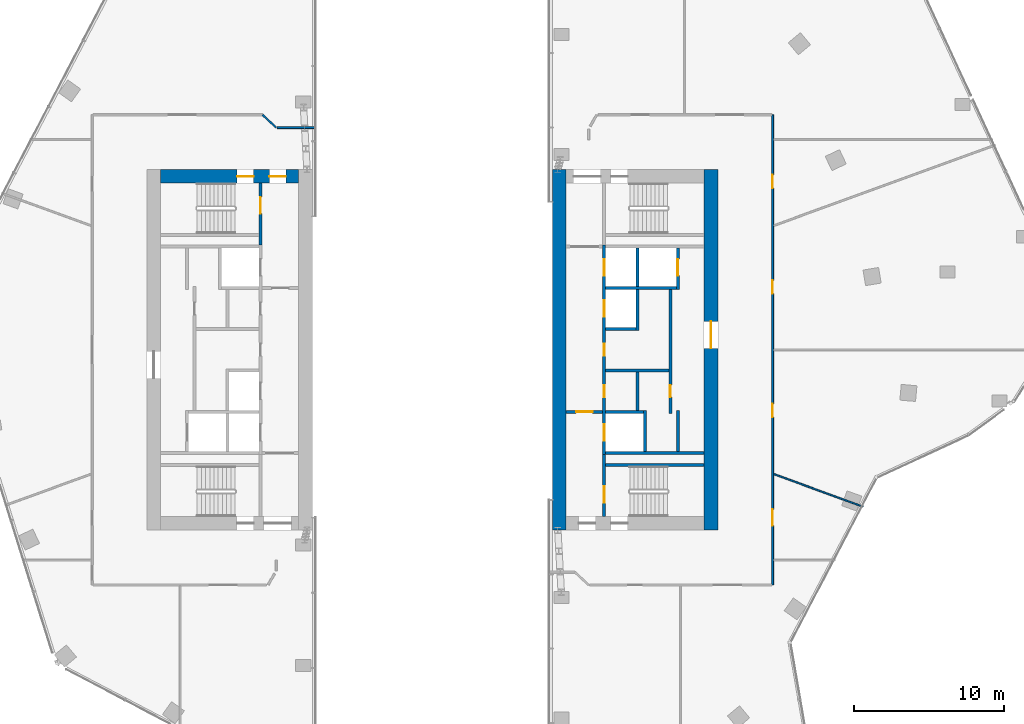
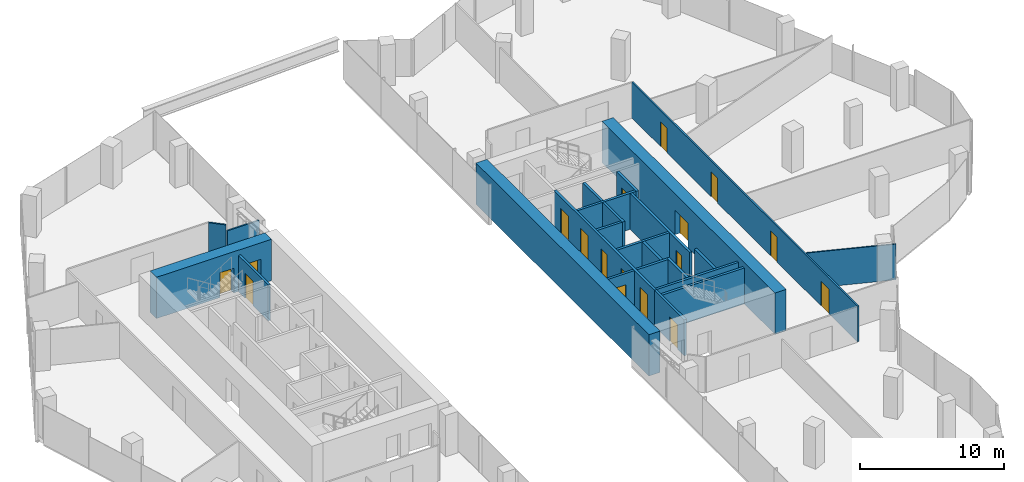
# One storey, part 21 of 24: 24 walls, 17 doors, 17 openings.
"""IFC4 building model written with IfcOpenShell, lengths in metres."""

from ifc_helpers import new_model, si_unit, direction, frame, frame_2d, origin, place, context, subcontext, project, spatial, rectangle, extrude, material, layer, layer_set, type_object, element, fill, save


model = new_model("IFC4")

# Units and contexts
model_context = context("Model", 3, precision=1e-05, world=origin(), true_north=direction((0.0, 1.0)))
body_context = subcontext(model_context, "Body", "Model", "MODEL_VIEW")
ifc_project = project(units=[si_unit("LENGTHUNIT", "METRE"), si_unit("AREAUNIT", "SQUARE_METRE"), si_unit("VOLUMEUNIT", "CUBIC_METRE"), si_unit("PLANEANGLEUNIT", "RADIAN"), si_unit("MASSUNIT", "GRAM", prefix="KILO")], contexts=[model_context])

# Site, building, storey
site_placement = place(None, origin())
site = spatial("IfcSite", under=ifc_project, at=site_placement, CompositionType="ELEMENT")
building_placement = place(site_placement, origin())
building = spatial("IfcBuilding", under=site, at=building_placement, Name="Orlundy Tower", CompositionType="ELEMENT")
storey_placement = place(building_placement, frame((0.0, 0.0, 267.5)))
storey = spatial("IfcBuildingStorey", under=building, at=storey_placement, Name="L71", CompositionType="ELEMENT", Elevation=267.5)

# Wall, openings, doors
ifc_material_1 = material(Name="Concrete C60/75", Category="concrete")
ifc_layer_1 = layer(ifc_material_1, 0.89990234375)
ifc_layer_set_1 = layer_set([ifc_layer_1], Name="CORE WALL 900 C60/75")
wall_type_1 = type_object("IfcWallType", Name="CORE WALL 900 C60/75", PredefinedType="SHEAR", material=ifc_layer_set_1)
wall_1_placement = place(storey_placement, frame((-18.10009765625, 11.550048828125, 0.0), z_axis=(0.0, 0.0, 1.0), x_axis=(1.0, 0.0, 0.0)))
wall_1 = element("IfcWall", 1, at=wall_1_placement, inside=storey, type_object=wall_type_1, Name="Core wall W-N L71", PredefinedType="SHEAR", context=body_context, shape_type="SweptSolid", body=[
    extrude(rectangle(XDim=9.2001953125, YDim=0.89990234375, at=frame_2d((4.60009765625, 0.0))), origin(), (0.0, 0.0, 1.0), 3.5),
])
opening_1_placement = place(wall_1_placement, frame((7.25, 0.0, 0.0)))
opening_1 = element("IfcOpeningElement", 2, at=opening_1_placement, cuts=wall_1, Name="Opening 53009", PredefinedType="OPENING", context=body_context, shape_type="SweptSolid", body=[
    extrude(rectangle(XDim=1.10009765625, YDim=2.10009765625, at=frame_2d((0.550048828125, 1.050048828125))), frame((0.0, 0.4599609375, 0.0), z_axis=(0.0, -1.0, 0.0), x_axis=(1.0, 0.0, 0.0)), (0.0, 0.0, 1.0), 0.919921875),
])
opening_2_placement = place(wall_1_placement, frame((5.10009765625, 0.0, 0.0)))
opening_2 = element("IfcOpeningElement", 3, at=opening_2_placement, cuts=wall_1, Name="Opening 53013", PredefinedType="OPENING", context=body_context, shape_type="SweptSolid", body=[
    extrude(rectangle(XDim=1.10009765625, YDim=2.10009765625, at=frame_2d((0.550048828125, 1.050048828125))), frame((0.0, 0.4599609375, 0.0), z_axis=(0.0, -1.0, 0.0), x_axis=(1.0, 0.0, 0.0)), (0.0, 0.0, 1.0), 0.919921875),
])
ifc_material_2 = material(Name="Steel door set", Category="steel")
door_type_1 = type_object("IfcDoorType", Name="Fire-fighting Lobby Door 1100x2100", OperationType="SINGLE_SWING_LEFT", PredefinedType="DOOR", material=ifc_material_2)
door_1_placement = place(opening_1_placement, origin())
door_1 = element("IfcDoor", 4, at=door_1_placement, inside=storey, type_object=door_type_1, Name="Fire-fighting lobby door 53009", OperationType="SINGLE_SWING_RIGHT", OverallHeight=2.10009765625, OverallWidth=1.10009765625, PredefinedType="DOOR", context=body_context, shape_type="SweptSolid", body=[
    extrude(rectangle(XDim=1.10009765625, YDim=2.10009765625, at=frame_2d((0.550048828125, 1.050048828125))), frame((0.0, 0.02490234375, 0.0), z_axis=(0.0, -1.0, 0.0), x_axis=(1.0, 0.0, 0.0)), (0.0, 0.0, 1.0), 0.050048828125),
])
fill(opening_1, door_1)
ifc_material_3 = material(Name="Steel door set", Category="steel")
door_type_2 = type_object("IfcDoorType", Name="Stair Door 1100x2100", OperationType="SINGLE_SWING_LEFT", PredefinedType="DOOR", material=ifc_material_3)
door_2_placement = place(opening_2_placement, origin())
door_2 = element("IfcDoor", 5, at=door_2_placement, inside=storey, type_object=door_type_2, Name="Stair door 53013", OperationType="SINGLE_SWING_RIGHT", OverallHeight=2.10009765625, OverallWidth=1.10009765625, PredefinedType="DOOR", context=body_context, shape_type="SweptSolid", body=[
    extrude(rectangle(XDim=1.10009765625, YDim=2.10009765625, at=frame_2d((0.550048828125, 1.050048828125))), frame((0.0, 0.02490234375, 0.0), z_axis=(0.0, -1.0, 0.0), x_axis=(1.0, 0.0, 0.0)), (0.0, 0.0, 1.0), 0.050048828125),
])
fill(opening_2, door_2)

# Wall
wall_2_placement = place(storey_placement, frame((8.449951171875, -12.0, 0.0), z_axis=(0.0, 0.0, 1.0), x_axis=(0.0, 1.0, 0.0)))
element("IfcWall", 6, at=wall_2_placement, inside=storey, type_object=wall_type_1, Name="Core wall E-W L71", PredefinedType="SHEAR", context=body_context, shape_type="SweptSolid", body=[
    extrude(rectangle(XDim=24.0, YDim=0.89990234375, at=frame_2d((12.0, 0.0))), origin(), (0.0, 0.0, 1.0), 3.5),
])

# Wall, opening, door
wall_3_placement = place(storey_placement, frame((18.550048828125, -12.0, 0.0), z_axis=(0.0, 0.0, 1.0), x_axis=(0.0, 1.0, 0.0)))
wall_3 = element("IfcWall", 7, at=wall_3_placement, inside=storey, type_object=wall_type_1, Name="Core wall E-E L71", PredefinedType="SHEAR", context=body_context, shape_type="SweptSolid", body=[
    extrude(rectangle(XDim=24.0, YDim=0.89990234375, at=frame_2d((12.0, 0.0))), origin(), (0.0, 0.0, 1.0), 3.5),
])
opening_3_placement = place(wall_3_placement, frame((12.10009765625, 0.0, 0.0)))
opening_3 = element("IfcOpeningElement", 8, at=opening_3_placement, cuts=wall_3, Name="Opening 53057", PredefinedType="OPENING", context=body_context, shape_type="SweptSolid", body=[
    extrude(rectangle(XDim=1.800048828125, YDim=2.10009765625, at=frame_2d((0.89990234375, 1.050048828125))), frame((0.0, 0.4599609375, 0.0), z_axis=(0.0, -1.0, 0.0), x_axis=(1.0, 0.0, 0.0)), (0.0, 0.0, 1.0), 0.919921875),
])
ifc_material_4 = material(Name="Timber door set", Category="wood")
door_type_3 = type_object("IfcDoorType", Name="Lobby Door 1800x2100", OperationType="DOUBLE_DOOR_DOUBLE_SWING", PredefinedType="DOOR", material=ifc_material_4)
door_3_placement = place(opening_3_placement, origin())
door_3 = element("IfcDoor", 9, at=door_3_placement, inside=storey, type_object=door_type_3, Name="Lift lobby door 53057", OperationType="SINGLE_SWING_RIGHT", OverallHeight=2.10009765625, OverallWidth=1.800048828125, PredefinedType="DOOR", context=body_context, shape_type="SweptSolid", body=[
    extrude(rectangle(XDim=1.800048828125, YDim=2.10009765625, at=frame_2d((0.89990234375, 1.050048828125))), frame((0.0, 0.02490234375, 0.0), z_axis=(0.0, -1.0, 0.0), x_axis=(1.0, 0.0, 0.0)), (0.0, 0.0, 1.0), 0.050048828125),
])
fill(opening_3, door_3)

# Wall
ifc_material_5 = material(Name="Gypsum board partition")
ifc_layer_2 = layer(ifc_material_5, 0.10009765625)
ifc_layer_set_2 = layer_set([ifc_layer_2], Name="Floor partition 100")
wall_type_2 = type_object("IfcWallType", Name="Floor partition 100", PredefinedType="PARTITIONING", material=ifc_layer_set_2)
wall_4_placement = place(storey_placement, frame((22.73095703125, -8.27294921875, 0.0), z_axis=(0.0, 0.0, 1.0), x_axis=(0.939689826278, -0.342027821076, 0.0)))
element("IfcWall", 10, at=wall_4_placement, inside=storey, type_object=wall_type_2, Name="wall-int-L71-002", PredefinedType="PARTITIONING", context=body_context, shape_type="SweptSolid", body=[
    extrude(rectangle(XDim=6.332763671875, YDim=0.10009765625, at=frame_2d((3.16650390625, 0.0))), origin(), (0.0, 0.0, 1.0), 3.030029296875),
])

# Wall, openings, doors
ifc_material_6 = material(Name="Gypsum board partition, double layer")
ifc_layer_3 = layer(ifc_material_6, 0.125)
ifc_layer_set_3 = layer_set([ifc_layer_3], Name="Floor partition 125")
wall_type_3 = type_object("IfcWallType", Name="Floor partition 125", PredefinedType="PARTITIONING", material=ifc_layer_set_3)
wall_5_placement = place(storey_placement, frame((22.65087890625, 15.64990234375, 0.0), z_axis=(0.0, 0.0, 1.0), x_axis=(0.0, -1.0, 0.0)))
wall_5 = element("IfcWall", 11, at=wall_5_placement, inside=storey, type_object=wall_type_3, Name="wall-int-L71-018", PredefinedType="PARTITIONING", context=body_context, shape_type="SweptSolid", body=[
    extrude(rectangle(XDim=31.2998046875, YDim=0.125, at=frame_2d((15.64990234375, 0.0))), origin(), (0.0, 0.0, 1.0), 3.030029296875),
])
opening_4_placement = place(wall_5_placement, frame((26.243896484375, 0.0, 0.0)))
opening_4 = element("IfcOpeningElement", 12, at=opening_4_placement, cuts=wall_5, Name="Opening 53105", PredefinedType="OPENING", context=body_context, shape_type="SweptSolid", body=[
    extrude(rectangle(XDim=1.10009765625, YDim=2.10009765625, at=frame_2d((0.550048828125, 1.050048828125))), frame((0.0, 0.072509765625, 0.0), z_axis=(0.0, -1.0, 0.0), x_axis=(1.0, 0.0, 0.0)), (0.0, 0.0, 1.0), 0.14501953125),
])
opening_5_placement = place(wall_5_placement, frame((19.25, 0.0, 0.0)))
opening_5 = element("IfcOpeningElement", 13, at=opening_5_placement, cuts=wall_5, Name="Opening 53106", PredefinedType="OPENING", context=body_context, shape_type="SweptSolid", body=[
    extrude(rectangle(XDim=0.89990234375, YDim=2.10009765625, at=frame_2d((0.449951171875, 1.050048828125))), frame((0.0, 0.072509765625, 0.0), z_axis=(0.0, -1.0, 0.0), x_axis=(1.0, 0.0, 0.0)), (0.0, 0.0, 1.0), 0.14501953125),
])
opening_6_placement = place(wall_5_placement, frame((11.006103515625, 0.0, 0.0)))
opening_6 = element("IfcOpeningElement", 14, at=opening_6_placement, cuts=wall_5, Name="Opening 53107", PredefinedType="OPENING", context=body_context, shape_type="SweptSolid", body=[
    extrude(rectangle(XDim=0.89990234375, YDim=2.10009765625, at=frame_2d((0.449951171875, 1.050048828125))), frame((0.0, 0.072509765625, 0.0), z_axis=(0.0, -1.0, 0.0), x_axis=(1.0, 0.0, 0.0)), (0.0, 0.0, 1.0), 0.14501953125),
])
opening_7_placement = place(wall_5_placement, frame((4.0, 0.0, 0.0)))
opening_7 = element("IfcOpeningElement", 15, at=opening_7_placement, cuts=wall_5, Name="Opening 53108", PredefinedType="OPENING", context=body_context, shape_type="SweptSolid", body=[
    extrude(rectangle(XDim=0.89990234375, YDim=2.10009765625, at=frame_2d((0.449951171875, 1.050048828125))), frame((0.0, 0.072509765625, 0.0), z_axis=(0.0, -1.0, 0.0), x_axis=(1.0, 0.0, 0.0)), (0.0, 0.0, 1.0), 0.14501953125),
])
ifc_material_7 = material(Name="Timber door leaf", Category="wood")
door_type_4 = type_object("IfcDoorType", Name="Floor door single 900 FD30S", OperationType="NOTDEFINED", PredefinedType="DOOR", material=ifc_material_7)
door_4_placement = place(opening_5_placement, origin())
door_4 = element("IfcDoor", 16, at=door_4_placement, inside=storey, type_object=door_type_4, Name="Door 53106", OperationType="SINGLE_SWING_RIGHT", OverallHeight=2.10009765625, OverallWidth=0.89990234375, PredefinedType="DOOR", context=body_context, shape_type="SweptSolid", body=[
    extrude(rectangle(XDim=0.89990234375, YDim=2.10009765625, at=frame_2d((0.449951171875, 1.050048828125))), frame((0.0, 0.02490234375, 0.0), z_axis=(0.0, -1.0, 0.0), x_axis=(1.0, 0.0, 0.0)), (0.0, 0.0, 1.0), 0.050048828125),
])
fill(opening_5, door_4)
door_5_placement = place(opening_6_placement, origin())
door_5 = element("IfcDoor", 17, at=door_5_placement, inside=storey, type_object=door_type_4, Name="Door 53107", OperationType="SINGLE_SWING_LEFT", OverallHeight=2.10009765625, OverallWidth=0.89990234375, PredefinedType="DOOR", context=body_context, shape_type="SweptSolid", body=[
    extrude(rectangle(XDim=0.89990234375, YDim=2.10009765625, at=frame_2d((0.449951171875, 1.050048828125))), frame((0.0, 0.02490234375, 0.0), z_axis=(0.0, -1.0, 0.0), x_axis=(1.0, 0.0, 0.0)), (0.0, 0.0, 1.0), 0.050048828125),
])
fill(opening_6, door_5)
door_6_placement = place(opening_7_placement, origin())
door_6 = element("IfcDoor", 18, at=door_6_placement, inside=storey, type_object=door_type_4, Name="Door 53108", OperationType="SINGLE_SWING_LEFT", OverallHeight=2.10009765625, OverallWidth=0.89990234375, PredefinedType="DOOR", context=body_context, shape_type="SweptSolid", body=[
    extrude(rectangle(XDim=0.89990234375, YDim=2.10009765625, at=frame_2d((0.449951171875, 1.050048828125))), frame((0.0, 0.02490234375, 0.0), z_axis=(0.0, -1.0, 0.0), x_axis=(1.0, 0.0, 0.0)), (0.0, 0.0, 1.0), 0.050048828125),
])
fill(opening_7, door_6)
ifc_material_8 = material(Name="Timber door leaf", Category="wood")
door_type_5 = type_object("IfcDoorType", Name="Floor door xwide 1100 FD30S", OperationType="NOTDEFINED", PredefinedType="DOOR", material=ifc_material_8)
door_7_placement = place(opening_4_placement, origin())
door_7 = element("IfcDoor", 19, at=door_7_placement, inside=storey, type_object=door_type_5, Name="Door 53105", OperationType="SINGLE_SWING_RIGHT", OverallHeight=2.10009765625, OverallWidth=1.10009765625, PredefinedType="DOOR", context=body_context, shape_type="SweptSolid", body=[
    extrude(rectangle(XDim=1.10009765625, YDim=2.10009765625, at=frame_2d((0.550048828125, 1.050048828125))), frame((0.0, 0.02490234375, 0.0), z_axis=(0.0, -1.0, 0.0), x_axis=(1.0, 0.0, 0.0)), (0.0, 0.0, 1.0), 0.050048828125),
])
fill(opening_4, door_7)

# Walls
wall_6_placement = place(storey_placement, frame((-10.39892578125, 14.801025390625, 0.0), z_axis=(0.0, 0.0, 1.0), x_axis=(-0.731998309082, 0.681306447571, 0.0)))
element("IfcWall", 20, at=wall_6_placement, inside=storey, type_object=wall_type_3, Name="wall-int-L71-024", PredefinedType="PARTITIONING", context=body_context, shape_type="SweptSolid", body=[
    extrude(rectangle(XDim=1.247314453125, YDim=0.125, at=frame_2d((0.62353515625, 0.0))), origin(), (0.0, 0.0, 1.0), 3.030029296875),
])
ifc_material_9 = material(Name="Gypsum board partition, double layer")
ifc_layer_4 = layer(ifc_material_9, 0.125)
ifc_layer_set_4 = layer_set([ifc_layer_4], Name="Floor partition 125 B")
wall_type_4 = type_object("IfcWallType", Name="Floor partition 125 B", PredefinedType="PARTITIONING", material=ifc_layer_set_4)
wall_7_placement = place(storey_placement, frame((-10.3359375, 14.801025390625, 0.0), z_axis=(0.0, 0.0, 1.0), x_axis=(1.0, 0.0, 0.0)))
element("IfcWall", 21, at=wall_7_placement, inside=storey, type_object=wall_type_4, Name="wall-int-L71-011", PredefinedType="PARTITIONING", context=body_context, shape_type="SweptSolid", body=[
    extrude(rectangle(XDim=2.5859375, YDim=0.125, at=frame_2d((1.29296875, 0.0))), origin(), (0.0, 0.0, 1.0), 2.496337890625),
])

# Wall, opening, door
ifc_material_10 = material(Name="Concrete C40/50", Category="concrete")
ifc_layer_5 = layer(ifc_material_10, 0.199951171875)
ifc_layer_set_5 = layer_set([ifc_layer_5], Name="Load-bearing Shaft Wall 200")
wall_type_5 = type_object("IfcWallType", Name="Load-bearing Shaft Wall 200", PredefinedType="SOLIDWALL", material=ifc_layer_set_5)
wall_8_placement = place(storey_placement, frame((-11.43994140625, 6.97509765625, 0.0), z_axis=(0.0, 0.0, 1.0), x_axis=(0.0, 1.0, 0.0)))
wall_8 = element("IfcWall", 22, at=wall_8_placement, inside=storey, type_object=wall_type_5, Name="Shaft wall W53-stair-end-n", PredefinedType="SOLIDWALL", context=body_context, shape_type="SweptSolid", body=[
    extrude(rectangle(XDim=4.125, YDim=0.199951171875, at=frame_2d((2.0625, 0.0))), origin(), (0.0, 0.0, 1.0), 3.050048828125),
])
opening_8_placement = place(wall_8_placement, frame((2.10009765625, 0.0, 0.0)))
opening_8 = element("IfcOpeningElement", 23, at=opening_8_placement, cuts=wall_8, Name="Opening 53015", PredefinedType="OPENING", context=body_context, shape_type="SweptSolid", body=[
    extrude(rectangle(XDim=1.10009765625, YDim=2.10009765625, at=frame_2d((0.550048828125, 1.050048828125))), frame((0.0, 0.110107421875, 0.0), z_axis=(0.0, -1.0, 0.0), x_axis=(1.0, 0.0, 0.0)), (0.0, 0.0, 1.0), 0.22021484375),
])
door_8_placement = place(opening_8_placement, origin())
door_8 = element("IfcDoor", 24, at=door_8_placement, inside=storey, type_object=door_type_1, Name="Fire-fighting lobby to stair door 53015", OperationType="SINGLE_SWING_RIGHT", OverallHeight=2.10009765625, OverallWidth=1.10009765625, PredefinedType="DOOR", context=body_context, shape_type="SweptSolid", body=[
    extrude(rectangle(XDim=1.10009765625, YDim=2.10009765625, at=frame_2d((0.550048828125, 1.050048828125))), frame((0.0, 0.02490234375, 0.0), z_axis=(0.0, -1.0, 0.0), x_axis=(1.0, 0.0, 0.0)), (0.0, 0.0, 1.0), 0.050048828125),
])
fill(opening_8, door_8)

wall_9_placement = place(storey_placement, frame((11.43994140625, -6.97509765625, 0.0), z_axis=(0.0, 0.0, 1.0), x_axis=(0.0, -1.0, 0.0)))
wall_9 = element("IfcWall", 25, at=wall_9_placement, inside=storey, type_object=wall_type_5, Name="Shaft wall E53-stair-end-n", PredefinedType="SOLIDWALL", context=body_context, shape_type="SweptSolid", body=[
    extrude(rectangle(XDim=4.125, YDim=0.199951171875, at=frame_2d((2.0625, 0.0))), origin(), (0.0, 0.0, 1.0), 3.050048828125),
])
opening_9_placement = place(wall_9_placement, frame((2.10009765625, 0.0, 0.0)))
opening_9 = element("IfcOpeningElement", 26, at=opening_9_placement, cuts=wall_9, Name="Opening 53064", PredefinedType="OPENING", context=body_context, shape_type="SweptSolid", body=[
    extrude(rectangle(XDim=1.10009765625, YDim=2.10009765625, at=frame_2d((0.550048828125, 1.050048828125))), frame((0.0, 0.110107421875, 0.0), z_axis=(0.0, -1.0, 0.0), x_axis=(1.0, 0.0, 0.0)), (0.0, 0.0, 1.0), 0.22021484375),
])
door_9_placement = place(opening_9_placement, origin())
door_9 = element("IfcDoor", 27, at=door_9_placement, inside=storey, type_object=door_type_1, Name="Fire-fighting lobby to stair door 53064", OperationType="SINGLE_SWING_RIGHT", OverallHeight=2.10009765625, OverallWidth=1.10009765625, PredefinedType="DOOR", context=body_context, shape_type="SweptSolid", body=[
    extrude(rectangle(XDim=1.10009765625, YDim=2.10009765625, at=frame_2d((0.550048828125, 1.050048828125))), frame((0.0, 0.02490234375, 0.0), z_axis=(0.0, -1.0, 0.0), x_axis=(1.0, 0.0, 0.0)), (0.0, 0.0, 1.0), 0.050048828125),
])
fill(opening_9, door_9)

# Wall
wall_10_placement = place(storey_placement, frame((11.5400390625, -7.64990234375, 0.0), z_axis=(0.0, 0.0, 1.0), x_axis=(1.0, 0.0, 0.0)))
element("IfcWall", 28, at=wall_10_placement, inside=storey, type_object=wall_type_5, Name="Shaft wall E53-stair-side-n", PredefinedType="SOLIDWALL", context=body_context, shape_type="SweptSolid", body=[
    extrude(rectangle(XDim=6.56005859375, YDim=0.199951171875, at=frame_2d((3.280029296875, 0.0))), origin(), (0.0, 0.0, 1.0), 3.050048828125),
])

# Wall, opening, door
ifc_material_11 = material(Name="Gypsum board partition on steel studs", Category="steel")
ifc_layer_6 = layer(ifc_material_11, 0.199951171875)
ifc_layer_set_6 = layer_set([ifc_layer_6], Name="Partition 200")
wall_type_6 = type_object("IfcWallType", Name="Partition 200", PredefinedType="PARTITIONING", material=ifc_layer_set_6)
wall_11_placement = place(storey_placement, frame((8.89990234375, -4.125, 0.0), z_axis=(0.0, 0.0, 1.0), x_axis=(1.0, 0.0, 0.0)))
wall_11 = element("IfcWall", 29, at=wall_11_placement, inside=storey, type_object=wall_type_6, Name="Partition wall E53-lobby-n", PredefinedType="PARTITIONING", context=body_context, shape_type="SweptSolid", body=[
    extrude(rectangle(XDim=2.440185546875, YDim=0.199951171875, at=frame_2d((1.22021484375, 0.0))), origin(), (0.0, 0.0, 1.0), 3.050048828125),
])
opening_10_placement = place(wall_11_placement, frame((0.669921875, 0.0, 0.0)))
opening_10 = element("IfcOpeningElement", 30, at=opening_10_placement, cuts=wall_11, Name="Opening 53059", PredefinedType="OPENING", context=body_context, shape_type="SweptSolid", body=[
    extrude(rectangle(XDim=1.10009765625, YDim=2.10009765625, at=frame_2d((0.550048828125, 1.050048828125))), frame((0.0, 0.110107421875, 0.0), z_axis=(0.0, -1.0, 0.0), x_axis=(1.0, 0.0, 0.0)), (0.0, 0.0, 1.0), 0.22021484375),
])
door_10_placement = place(opening_10_placement, origin())
door_10 = element("IfcDoor", 31, at=door_10_placement, inside=storey, type_object=door_type_1, Name="Lift lobby to fire-fighting lobby door 53059", OperationType="SINGLE_SWING_RIGHT", OverallHeight=2.10009765625, OverallWidth=1.10009765625, PredefinedType="DOOR", context=body_context, shape_type="SweptSolid", body=[
    extrude(rectangle(XDim=1.10009765625, YDim=2.10009765625, at=frame_2d((0.550048828125, 1.050048828125))), frame((0.0, 0.02490234375, 0.0), z_axis=(0.0, -1.0, 0.0), x_axis=(1.0, 0.0, 0.0)), (0.0, 0.0, 1.0), 0.050048828125),
])
fill(opening_10, door_10)

# Walls
ifc_material_12 = material(Name="Fire-rated blockwork shaft wall", Category="masonry")
ifc_layer_7 = layer(ifc_material_12, 0.199951171875)
ifc_layer_set_7 = layer_set([ifc_layer_7], Name="Shaft Wall 200")
wall_type_7 = type_object("IfcWallType", Name="Shaft Wall 200", PredefinedType="SOLIDWALL", material=ifc_layer_set_7)
wall_12_placement = place(storey_placement, frame((11.5400390625, -6.875, 0.0), z_axis=(0.0, 0.0, 1.0), x_axis=(1.0, 0.0, 0.0)))
element("IfcWall", 32, at=wall_12_placement, inside=storey, type_object=wall_type_7, Name="Shaft wall E53-zone-n", PredefinedType="SOLIDWALL", context=body_context, shape_type="SweptSolid", body=[
    extrude(rectangle(XDim=6.56005859375, YDim=0.199951171875, at=frame_2d((3.280029296875, 0.0))), origin(), (0.0, 0.0, 1.0), 3.050048828125),
])
wall_13_placement = place(storey_placement, frame((11.5400390625, 4.125, 0.0), z_axis=(0.0, 0.0, 1.0), x_axis=(1.0, 0.0, 0.0)))
element("IfcWall", 33, at=wall_13_placement, inside=storey, type_object=wall_type_7, Name="Shaft wall E53-cross-4.125", PredefinedType="SOLIDWALL", context=body_context, shape_type="SweptSolid", body=[
    extrude(rectangle(XDim=4.699951171875, YDim=0.199951171875, at=frame_2d((2.35009765625, 0.0))), origin(), (0.0, 0.0, 1.0), 3.050048828125),
])
wall_14_placement = place(storey_placement, frame((11.5400390625, 1.375, 0.0), z_axis=(0.0, 0.0, 1.0), x_axis=(1.0, 0.0, 0.0)))
element("IfcWall", 34, at=wall_14_placement, inside=storey, type_object=wall_type_7, Name="Shaft wall E53-cross-1.375", PredefinedType="SOLIDWALL", context=body_context, shape_type="SweptSolid", body=[
    extrude(rectangle(XDim=2.0, YDim=0.199951171875, at=frame_2d((1.0, 0.0))), origin(), (0.0, 0.0, 1.0), 3.050048828125),
])
wall_15_placement = place(storey_placement, frame((11.5400390625, -1.375, 0.0), z_axis=(0.0, 0.0, 1.0), x_axis=(1.0, 0.0, 0.0)))
element("IfcWall", 35, at=wall_15_placement, inside=storey, type_object=wall_type_7, Name="Shaft wall E53-cross+1.375", PredefinedType="SOLIDWALL", context=body_context, shape_type="SweptSolid", body=[
    extrude(rectangle(XDim=4.199951171875, YDim=0.199951171875, at=frame_2d((2.10009765625, 0.0))), origin(), (0.0, 0.0, 1.0), 3.050048828125),
])
wall_16_placement = place(storey_placement, frame((11.5400390625, -4.125, 0.0), z_axis=(0.0, 0.0, 1.0), x_axis=(1.0, 0.0, 0.0)))
element("IfcWall", 36, at=wall_16_placement, inside=storey, type_object=wall_type_7, Name="Shaft wall E53-cross+4.125", PredefinedType="SOLIDWALL", context=body_context, shape_type="SweptSolid", body=[
    extrude(rectangle(XDim=2.5, YDim=0.199951171875, at=frame_2d((1.25, 0.0))), origin(), (0.0, 0.0, 1.0), 3.050048828125),
])

# Wall, openings, doors
wall_17_placement = place(storey_placement, frame((11.43994140625, 6.97509765625, 0.0), z_axis=(0.0, 0.0, 1.0), x_axis=(0.0, -1.0, 0.0)))
wall_17 = element("IfcWall", 37, at=wall_17_placement, inside=storey, type_object=wall_type_7, Name="Shaft wall E53-front-h", PredefinedType="SOLIDWALL", context=body_context, shape_type="SweptSolid", body=[
    extrude(rectangle(XDim=13.9501953125, YDim=0.199951171875, at=frame_2d((6.97509765625, 0.0))), origin(), (0.0, 0.0, 1.0), 3.050048828125),
])
opening_11_placement = place(wall_17_placement, frame((0.925048828125, 0.0, 0.0)))
opening_11 = element("IfcOpeningElement", 38, at=opening_11_placement, cuts=wall_17, Name="Opening 53050", PredefinedType="OPENING", context=body_context, shape_type="SweptSolid", body=[
    extrude(rectangle(XDim=1.10009765625, YDim=2.10009765625, at=frame_2d((0.550048828125, 1.050048828125))), frame((0.0, 0.110107421875, 0.0), z_axis=(0.0, -1.0, 0.0), x_axis=(1.0, 0.0, 0.0)), (0.0, 0.0, 1.0), 0.22021484375),
])
opening_12_placement = place(wall_17_placement, frame((3.675048828125, 0.0, 0.0)))
opening_12 = element("IfcOpeningElement", 39, at=opening_12_placement, cuts=wall_17, Name="Opening 53052", PredefinedType="OPENING", context=body_context, shape_type="SweptSolid", body=[
    extrude(rectangle(XDim=1.10009765625, YDim=2.10009765625, at=frame_2d((0.550048828125, 1.050048828125))), frame((0.0, 0.110107421875, 0.0), z_axis=(0.0, -1.0, 0.0), x_axis=(1.0, 0.0, 0.0)), (0.0, 0.0, 1.0), 0.22021484375),
])
opening_13_placement = place(wall_17_placement, frame((11.925048828125, 0.0, 0.0)))
opening_13 = element("IfcOpeningElement", 40, at=opening_13_placement, cuts=wall_17, Name="Opening 53053", PredefinedType="OPENING", context=body_context, shape_type="SweptSolid", body=[
    extrude(rectangle(XDim=1.10009765625, YDim=2.10009765625, at=frame_2d((0.550048828125, 1.050048828125))), frame((0.0, 0.110107421875, 0.0), z_axis=(0.0, -1.0, 0.0), x_axis=(1.0, 0.0, 0.0)), (0.0, 0.0, 1.0), 0.22021484375),
])
opening_14_placement = place(wall_17_placement, frame((6.574951171875, 0.0, 0.0)))
opening_14 = element("IfcOpeningElement", 41, at=opening_14_placement, cuts=wall_17, Name="Opening 53054", PredefinedType="OPENING", context=body_context, shape_type="SweptSolid", body=[
    extrude(rectangle(XDim=0.800048828125, YDim=2.10009765625, at=frame_2d((0.39990234375, 1.050048828125))), frame((0.0, 0.110107421875, 0.0), z_axis=(0.0, -1.0, 0.0), x_axis=(1.0, 0.0, 0.0)), (0.0, 0.0, 1.0), 0.22021484375),
])
opening_15_placement = place(wall_17_placement, frame((9.324951171875, 0.0, 0.0)))
opening_15 = element("IfcOpeningElement", 42, at=opening_15_placement, cuts=wall_17, Name="Opening 53055", PredefinedType="OPENING", context=body_context, shape_type="SweptSolid", body=[
    extrude(rectangle(XDim=0.800048828125, YDim=2.10009765625, at=frame_2d((0.39990234375, 1.050048828125))), frame((0.0, 0.110107421875, 0.0), z_axis=(0.0, -1.0, 0.0), x_axis=(1.0, 0.0, 0.0)), (0.0, 0.0, 1.0), 0.22021484375),
])
ifc_material_13 = material(Name="Steel door set", Category="steel")
door_type_6 = type_object("IfcDoorType", Name="Landing Door 1100x2100", OperationType="DOUBLE_DOOR_SLIDING", PredefinedType="DOOR", material=ifc_material_13)
door_11_placement = place(opening_11_placement, origin())
door_11 = element("IfcDoor", 43, at=door_11_placement, inside=storey, type_object=door_type_6, Name="Lift landing door LP-24 53050", OperationType="DOUBLE_DOOR_SLIDING", OverallHeight=2.10009765625, OverallWidth=1.10009765625, PredefinedType="DOOR", context=body_context, shape_type="SweptSolid", body=[
    extrude(rectangle(XDim=1.10009765625, YDim=2.10009765625, at=frame_2d((0.550048828125, 1.050048828125))), frame((0.0, 0.02490234375, 0.0), z_axis=(0.0, -1.0, 0.0), x_axis=(1.0, 0.0, 0.0)), (0.0, 0.0, 1.0), 0.050048828125),
])
fill(opening_11, door_11)
door_12_placement = place(opening_12_placement, origin())
door_12 = element("IfcDoor", 44, at=door_12_placement, inside=storey, type_object=door_type_6, Name="Lift landing door LP-23 53052", OperationType="DOUBLE_DOOR_SLIDING", OverallHeight=2.10009765625, OverallWidth=1.10009765625, PredefinedType="DOOR", context=body_context, shape_type="SweptSolid", body=[
    extrude(rectangle(XDim=1.10009765625, YDim=2.10009765625, at=frame_2d((0.550048828125, 1.050048828125))), frame((0.0, 0.02490234375, 0.0), z_axis=(0.0, -1.0, 0.0), x_axis=(1.0, 0.0, 0.0)), (0.0, 0.0, 1.0), 0.050048828125),
])
fill(opening_12, door_12)
door_13_placement = place(opening_13_placement, origin())
door_13 = element("IfcDoor", 45, at=door_13_placement, inside=storey, type_object=door_type_6, Name="Lift landing door FL2 53053", OperationType="DOUBLE_DOOR_SLIDING", OverallHeight=2.10009765625, OverallWidth=1.10009765625, PredefinedType="DOOR", context=body_context, shape_type="SweptSolid", body=[
    extrude(rectangle(XDim=1.10009765625, YDim=2.10009765625, at=frame_2d((0.550048828125, 1.050048828125))), frame((0.0, 0.02490234375, 0.0), z_axis=(0.0, -1.0, 0.0), x_axis=(1.0, 0.0, 0.0)), (0.0, 0.0, 1.0), 0.050048828125),
])
fill(opening_13, door_13)
ifc_material_14 = material(Name="Timber door set", Category="wood")
door_type_7 = type_object("IfcDoorType", Name="Riser Door 800x2100", OperationType="SINGLE_SWING_LEFT", PredefinedType="DOOR", material=ifc_material_14)
door_14_placement = place(opening_14_placement, origin())
door_14 = element("IfcDoor", 46, at=door_14_placement, inside=storey, type_object=door_type_7, Name="Refuse Room door 53054", OperationType="SINGLE_SWING_RIGHT", OverallHeight=2.10009765625, OverallWidth=0.800048828125, PredefinedType="DOOR", context=body_context, shape_type="SweptSolid", body=[
    extrude(rectangle(XDim=0.800048828125, YDim=2.10009765625, at=frame_2d((0.39990234375, 1.050048828125))), frame((0.0, 0.02490234375, 0.0), z_axis=(0.0, -1.0, 0.0), x_axis=(1.0, 0.0, 0.0)), (0.0, 0.0, 1.0), 0.050048828125),
])
fill(opening_14, door_14)
door_15_placement = place(opening_15_placement, origin())
door_15 = element("IfcDoor", 47, at=door_15_placement, inside=storey, type_object=door_type_7, Name="Cleaner's Store door 53055", OperationType="SINGLE_SWING_LEFT", OverallHeight=2.10009765625, OverallWidth=0.800048828125, PredefinedType="DOOR", context=body_context, shape_type="SweptSolid", body=[
    extrude(rectangle(XDim=0.800048828125, YDim=2.10009765625, at=frame_2d((0.39990234375, 1.050048828125))), frame((0.0, 0.02490234375, 0.0), z_axis=(0.0, -1.0, 0.0), x_axis=(1.0, 0.0, 0.0)), (0.0, 0.0, 1.0), 0.050048828125),
])
fill(opening_15, door_15)

# Walls
wall_18_placement = place(storey_placement, frame((13.639892578125, 6.77490234375, 0.0), z_axis=(0.0, 0.0, 1.0), x_axis=(0.0, -1.0, 0.0)))
element("IfcWall", 48, at=wall_18_placement, inside=storey, type_object=wall_type_7, Name="Shaft wall E53-mid-a", PredefinedType="SOLIDWALL", context=body_context, shape_type="SweptSolid", body=[
    extrude(rectangle(XDim=2.5498046875, YDim=0.199951171875, at=frame_2d((1.27490234375, 0.0))), origin(), (0.0, 0.0, 1.0), 3.050048828125),
])
wall_19_placement = place(storey_placement, frame((13.639892578125, 4.02490234375, 0.0), z_axis=(0.0, 0.0, 1.0), x_axis=(0.0, -1.0, 0.0)))
element("IfcWall", 49, at=wall_19_placement, inside=storey, type_object=wall_type_7, Name="Shaft wall E53-mid-a.1", PredefinedType="SOLIDWALL", context=body_context, shape_type="SweptSolid", body=[
    extrude(rectangle(XDim=2.75, YDim=0.199951171875, at=frame_2d((1.375, 0.0))), origin(), (0.0, 0.0, 1.0), 3.050048828125),
])
wall_20_placement = place(storey_placement, frame((13.639892578125, -1.47509765625, 0.0), z_axis=(0.0, 0.0, 1.0), x_axis=(0.0, -1.0, 0.0)))
element("IfcWall", 50, at=wall_20_placement, inside=storey, type_object=wall_type_7, Name="Shaft wall E53-mid-a1", PredefinedType="SOLIDWALL", context=body_context, shape_type="SweptSolid", body=[
    extrude(rectangle(XDim=2.5498046875, YDim=0.199951171875, at=frame_2d((1.27490234375, 0.0))), origin(), (0.0, 0.0, 1.0), 3.050048828125),
])
wall_21_placement = place(storey_placement, frame((14.139892578125, -4.02490234375, 0.0), z_axis=(0.0, 0.0, 1.0), x_axis=(0.0, -1.0, 0.0)))
element("IfcWall", 51, at=wall_21_placement, inside=storey, type_object=wall_type_7, Name="Shaft wall E53-mid-b", PredefinedType="SOLIDWALL", context=body_context, shape_type="SweptSolid", body=[
    extrude(rectangle(XDim=2.75, YDim=0.199951171875, at=frame_2d((1.375, 0.0))), origin(), (0.0, 0.0, 1.0), 3.050048828125),
])

# Wall, opening, door
wall_22_placement = place(storey_placement, frame((16.340087890625, 6.77490234375, 0.0), z_axis=(0.0, 0.0, 1.0), x_axis=(0.0, -1.0, 0.0)))
wall_22 = element("IfcWall", 52, at=wall_22_placement, inside=storey, type_object=wall_type_7, Name="Shaft wall E53-front-o-a", PredefinedType="SOLIDWALL", context=body_context, shape_type="SweptSolid", body=[
    extrude(rectangle(XDim=2.75, YDim=0.199951171875, at=frame_2d((1.375, 0.0))), origin(), (0.0, 0.0, 1.0), 3.050048828125),
])
opening_16_placement = place(wall_22_placement, frame((0.72509765625, 0.0, 0.0)))
opening_16 = element("IfcOpeningElement", 53, at=opening_16_placement, cuts=wall_22, Name="Opening 53051", PredefinedType="OPENING", context=body_context, shape_type="SweptSolid", body=[
    extrude(rectangle(XDim=1.10009765625, YDim=2.10009765625, at=frame_2d((0.550048828125, 1.050048828125))), frame((0.0, 0.110107421875, 0.0), z_axis=(0.0, -1.0, 0.0), x_axis=(1.0, 0.0, 0.0)), (0.0, 0.0, 1.0), 0.22021484375),
])
door_16_placement = place(opening_16_placement, origin())
door_16 = element("IfcDoor", 54, at=door_16_placement, inside=storey, type_object=door_type_6, Name="Lift landing door LV-02 53051", OperationType="DOUBLE_DOOR_SLIDING", OverallHeight=2.10009765625, OverallWidth=1.10009765625, PredefinedType="DOOR", context=body_context, shape_type="SweptSolid", body=[
    extrude(rectangle(XDim=1.10009765625, YDim=2.10009765625, at=frame_2d((0.550048828125, 1.050048828125))), frame((0.0, 0.02490234375, 0.0), z_axis=(0.0, -1.0, 0.0), x_axis=(1.0, 0.0, 0.0)), (0.0, 0.0, 1.0), 0.050048828125),
])
fill(opening_16, door_16)

wall_23_placement = place(storey_placement, frame((15.840087890625, 4.02490234375, 0.0), z_axis=(0.0, 0.0, 1.0), x_axis=(0.0, -1.0, 0.0)))
wall_23 = element("IfcWall", 55, at=wall_23_placement, inside=storey, type_object=wall_type_7, Name="Shaft wall E53-front-o-b", PredefinedType="SOLIDWALL", context=body_context, shape_type="SweptSolid", body=[
    extrude(rectangle(XDim=8.25, YDim=0.199951171875, at=frame_2d((4.125, 0.0))), origin(), (0.0, 0.0, 1.0), 3.050048828125),
])
opening_17_placement = place(wall_23_placement, frame((6.375, 0.0, 0.0)))
opening_17 = element("IfcOpeningElement", 56, at=opening_17_placement, cuts=wall_23, Name="Opening 53056", PredefinedType="OPENING", context=body_context, shape_type="SweptSolid", body=[
    extrude(rectangle(XDim=0.800048828125, YDim=2.10009765625, at=frame_2d((0.39990234375, 1.050048828125))), frame((0.0, 0.110107421875, 0.0), z_axis=(0.0, -1.0, 0.0), x_axis=(1.0, 0.0, 0.0)), (0.0, 0.0, 1.0), 0.22021484375),
])
door_17_placement = place(opening_17_placement, origin())
door_17 = element("IfcDoor", 57, at=door_17_placement, inside=storey, type_object=door_type_7, Name="Janitor Store door 53056", OperationType="SINGLE_SWING_LEFT", OverallHeight=2.10009765625, OverallWidth=0.800048828125, PredefinedType="DOOR", context=body_context, shape_type="SweptSolid", body=[
    extrude(rectangle(XDim=0.800048828125, YDim=2.10009765625, at=frame_2d((0.39990234375, 1.050048828125))), frame((0.0, 0.02490234375, 0.0), z_axis=(0.0, -1.0, 0.0), x_axis=(1.0, 0.0, 0.0)), (0.0, 0.0, 1.0), 0.050048828125),
])
fill(opening_17, door_17)

# Wall
wall_24_placement = place(storey_placement, frame((16.340087890625, -4.02490234375, 0.0), z_axis=(0.0, 0.0, 1.0), x_axis=(0.0, -1.0, 0.0)))
element("IfcWall", 58, at=wall_24_placement, inside=storey, type_object=wall_type_7, Name="Shaft wall E53-front-o-c", PredefinedType="SOLIDWALL", context=body_context, shape_type="SweptSolid", body=[
    extrude(rectangle(XDim=2.75, YDim=0.199951171875, at=frame_2d((1.375, 0.0))), origin(), (0.0, 0.0, 1.0), 3.050048828125),
])

save(model, "model.ifc")
